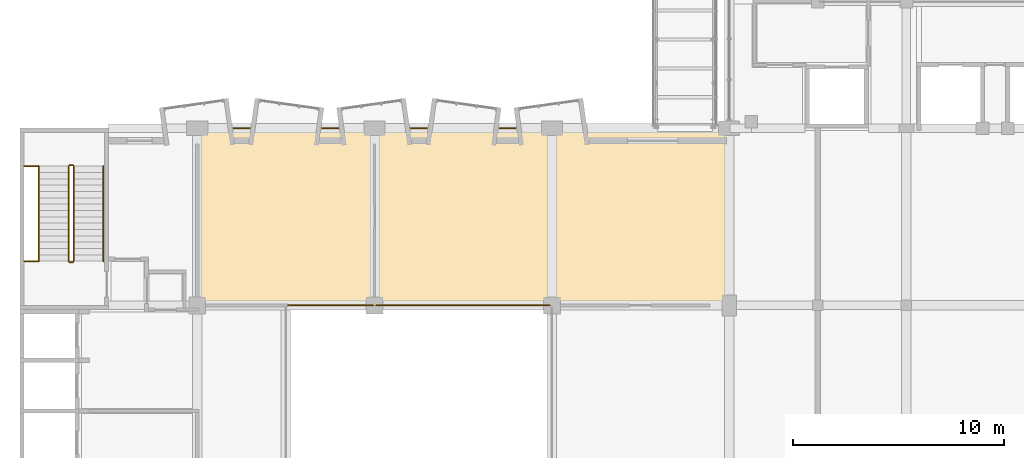
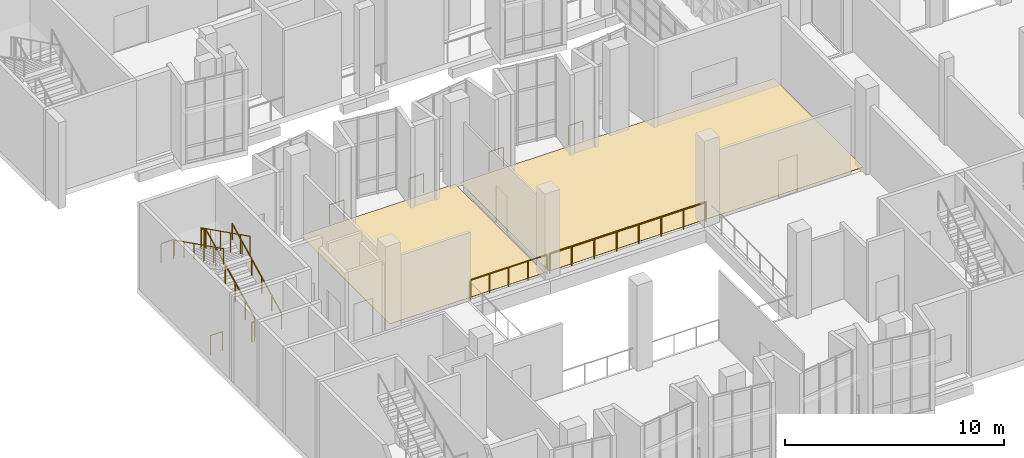
# One storey, part 68 of 86: 14 railings, 2 coverings.
"""IFC4 building model written with IfcOpenShell, lengths in metres."""

from ifc_helpers import new_model, si_unit, direction, frame, origin, origin_2d, place, context, subcontext, project, spatial, polyline, circle, outline, extrude, material, layer, layer_set, type_object, element, save


model = new_model("IFC4")

# Units and contexts
model_context = context("Model", 3, precision=1e-05, world=origin(), true_north=direction((0.0, 1.0)))
body_context = subcontext(model_context, "Body", "Model", "MODEL_VIEW")
ifc_project = project(units=[si_unit("LENGTHUNIT", "METRE"), si_unit("AREAUNIT", "SQUARE_METRE"), si_unit("VOLUMEUNIT", "CUBIC_METRE"), si_unit("PLANEANGLEUNIT", "RADIAN"), si_unit("MASSUNIT", "GRAM", prefix="KILO")], contexts=[model_context])

# Site, building, storey
site_placement = place(None, origin())
site = spatial("IfcSite", under=ifc_project, at=site_placement, CompositionType="ELEMENT")
building_placement = place(site_placement, origin())
building = spatial("IfcBuilding", under=site, at=building_placement, Name="Kiln Court Media Centre", CompositionType="ELEMENT")
storey_placement = place(building_placement, frame((0.0, 0.0, 10.199951171875)))
storey = spatial("IfcBuildingStorey", under=building, at=storey_placement, Name="L02", CompositionType="ELEMENT", Elevation=10.199951171875)

# Coverings
ifc_material_1 = material(Name="Carpet tile")
ifc_layer = layer(ifc_material_1, 0.014892578125)
ifc_layer_set = layer_set([ifc_layer], Name="Carpet tile floor finish 15")
covering_type = type_object("IfcCoveringType", Name="Carpet tile floor finish 15", PredefinedType="FLOORING", material=ifc_layer_set)
covering_1_placement = place(storey_placement, origin())
element("IfcCovering", 1, at=covering_1_placement, inside=storey, type_object=covering_type, Name="Group Study Rooms floor finish", PredefinedType="FLOORING", context=body_context, shape_type="SweptSolid", body=[
    extrude(outline(polyline([(8.52001953125, 16.919921875), (16.679931640625, 16.919921875), (16.679931640625, 25.080078125), (8.52001953125, 25.080078125), (8.52001953125, 16.919921875)])), origin(), (0.0, 0.0, 1.0), 0.01513671875),
])
covering_2_placement = place(storey_placement, origin())
element("IfcCovering", 2, at=covering_2_placement, inside=storey, type_object=covering_type, Name="Humanities Reading Room floor finish", PredefinedType="FLOORING", context=body_context, shape_type="SweptSolid", body=[
    extrude(outline(polyline([(16.919921875, 16.919921875), (33.47998046875, 16.919921875), (33.47998046875, 25.080078125), (16.919921875, 25.080078125), (16.919921875, 16.919921875)])), origin(), (0.0, 0.0, 1.0), 0.01513671875),
])

# Railings
ifc_material_2 = material(Name="Steel S275", Category="steel")
railing_type_1 = type_object("IfcRailingType", Name="Steel S275 balustrade guard 1100", PredefinedType="GUARDRAIL", material=ifc_material_2)
railing_1_placement = place(storey_placement, frame((16.72998046875, 16.800048828125, 0.0)))
element("IfcRailing", 3, at=railing_1_placement, inside=storey, type_object=railing_type_1, Name="L02 void edge guard", PredefinedType="GUARDRAIL", context=body_context, shape_type="SweptSolid", body=[
    extrude(circle(Radius=0.02392578125, at=origin_2d()), frame((0.0, 0.0, 1.076171875), z_axis=(-1.0, 0.0, 0.0), x_axis=(0.0, -1.0, 0.0)), (0.0, 0.0, 1.0), 4.034912109375),
    extrude(circle(Radius=0.02099609375, at=origin_2d()), origin(), (0.0, 0.0, 1.0), 1.052001953125),
    extrude(circle(Radius=0.02099609375, at=origin_2d()), frame((-1.0087890625, 0.0, 0.0)), (0.0, 0.0, 1.0), 1.052001953125),
    extrude(circle(Radius=0.02099609375, at=origin_2d()), frame((-2.017578125, 0.0, 0.0)), (0.0, 0.0, 1.0), 1.052001953125),
    extrude(circle(Radius=0.02099609375, at=origin_2d()), frame((-3.026123046875, 0.0, 0.0)), (0.0, 0.0, 1.0), 1.052001953125),
    extrude(circle(Radius=0.02099609375, at=origin_2d()), frame((-4.034912109375, 0.0, 0.0)), (0.0, 0.0, 1.0), 1.052001953125),
])
railing_2_placement = place(storey_placement, frame((25.10498046875, 16.800048828125, 0.0)))
element("IfcRailing", 4, at=railing_2_placement, inside=storey, type_object=railing_type_1, Name="L02 void edge guard", PredefinedType="GUARDRAIL", context=body_context, shape_type="SweptSolid", body=[
    extrude(circle(Radius=0.02392578125, at=origin_2d()), frame((0.0, 0.0, 1.076171875), z_axis=(-1.0, 0.0, 0.0), x_axis=(0.0, -1.0, 0.0)), (0.0, 0.0, 1.0), 8.23486328125),
    extrude(circle(Radius=0.02099609375, at=origin_2d()), origin(), (0.0, 0.0, 1.0), 1.052001953125),
    extrude(circle(Radius=0.02099609375, at=origin_2d()), frame((-1.176513671875, 0.0, 0.0)), (0.0, 0.0, 1.0), 1.052001953125),
    extrude(circle(Radius=0.02099609375, at=origin_2d()), frame((-2.352783203125, 0.0, 0.0)), (0.0, 0.0, 1.0), 1.052001953125),
    extrude(circle(Radius=0.02099609375, at=origin_2d()), frame((-3.529296875, 0.0, 0.0)), (0.0, 0.0, 1.0), 1.052001953125),
    extrude(circle(Radius=0.02099609375, at=origin_2d()), frame((-4.70556640625, 0.0, 0.0)), (0.0, 0.0, 1.0), 1.052001953125),
    extrude(circle(Radius=0.02099609375, at=origin_2d()), frame((-5.882080078125, 0.0, 0.0)), (0.0, 0.0, 1.0), 1.052001953125),
    extrude(circle(Radius=0.02099609375, at=origin_2d()), frame((-7.058349609375, 0.0, 0.0)), (0.0, 0.0, 1.0), 1.052001953125),
    extrude(circle(Radius=0.02099609375, at=origin_2d()), frame((-8.23486328125, 0.0, 0.0)), (0.0, 0.0, 1.0), 1.052001953125),
])
for number, where, name in (
    (5, (10.11767578125, 25.199951171875, 0.0), "L02 slab notch guard"),
    (6, (14.317626953125, 25.199951171875, 0.0), "L02 slab notch guard"),
    (7, (18.517578125, 25.199951171875, 0.0), "L02 slab notch guard"),
    (8, (22.7177734375, 25.199951171875, 0.0), "L02 slab notch guard"),
):
    element("IfcRailing", number, at=place(storey_placement, frame(where)), inside=storey, type_object=railing_type_1, Name=name, PredefinedType="GUARDRAIL", context=body_context, shape_type="SweptSolid", body=[
        extrude(circle(Radius=0.02392578125, at=origin_2d()), frame((0.0, 0.0, 1.076171875), z_axis=(1.0, 0.0, 0.0), x_axis=(0.0, 1.0, 0.0)), (0.0, 0.0, 1.0), 0.7646484375),
        extrude(circle(Radius=0.02099609375, at=origin_2d()), origin(), (0.0, 0.0, 1.0), 1.052001953125),
        extrude(circle(Radius=0.02099609375, at=origin_2d()), frame((0.7646484375, 0.0, 0.0)), (0.0, 0.0, 1.0), 1.052001953125),
    ])
ifc_material_3 = material(Name="Steel S275", Category="steel")
railing_type_2 = type_object("IfcRailingType", Name="Steel S275 stair guard 1100", PredefinedType="GUARDRAIL", material=ifc_material_3)
railing_3_placement = place(storey_placement, frame((2.550048828125, 18.89990234375, 0.150146484375)))
element("IfcRailing", 9, at=railing_3_placement, inside=storey, type_object=railing_type_2, Name="ST-02 stair guard", PredefinedType="GUARDRAIL", context=body_context, shape_type="SweptSolid", body=[
    extrude(circle(Radius=0.02392578125, at=origin_2d()), frame((0.0, 0.0, 1.076171875), z_axis=(0.0, 0.894427191, 0.4472135955), x_axis=(-1.0, 0.0, 0.0)), (0.0, 0.0, 1.0), 5.03125),
    extrude(circle(Radius=0.02099609375, at=origin_2d()), origin(), (0.0, 0.0, 1.0), 1.052001953125),
    extrude(circle(Radius=0.02099609375, at=origin_2d()), frame((0.0, 0.89990234375, 0.449951171875)), (0.0, 0.0, 1.0), 1.052001953125),
    extrude(circle(Radius=0.02099609375, at=origin_2d()), frame((0.0, 1.800048828125, 0.89990234375)), (0.0, 0.0, 1.0), 1.052001953125),
    extrude(circle(Radius=0.02099609375, at=origin_2d()), frame((0.0, 2.699951171875, 1.35009765625)), (0.0, 0.0, 1.0), 1.052001953125),
    extrude(circle(Radius=0.02099609375, at=origin_2d()), frame((0.0, 3.60009765625, 1.800048828125)), (0.0, 0.0, 1.0), 1.052001953125),
    extrude(circle(Radius=0.02099609375, at=origin_2d()), frame((0.0, 4.5, 2.25)), (0.0, 0.0, 1.0), 1.052001953125),
])
railing_4_placement = place(storey_placement, frame((2.5, 23.449951171875, 2.400146484375)))
element("IfcRailing", 10, at=railing_4_placement, inside=storey, type_object=railing_type_2, Name="ST-02 stair guard", PredefinedType="GUARDRAIL", context=body_context, shape_type="SweptSolid", body=[
    extrude(circle(Radius=0.02392578125, at=origin_2d()), frame((0.0, 0.0, 1.076171875), z_axis=(-1.0, 0.0, 0.0), x_axis=(0.0, -1.0, 0.0)), (0.0, 0.0, 1.0), 0.14990234375),
    extrude(circle(Radius=0.02099609375, at=origin_2d()), origin(), (0.0, 0.0, 1.0), 1.052001953125),
    extrude(circle(Radius=0.02099609375, at=origin_2d()), frame((-0.14990234375, 0.0, 0.0)), (0.0, 0.0, 1.0), 1.052001953125),
])
railing_5_placement = place(storey_placement, frame((2.300048828125, 23.39990234375, 2.550048828125)))
element("IfcRailing", 11, at=railing_5_placement, inside=storey, type_object=railing_type_2, Name="ST-02 stair guard", PredefinedType="GUARDRAIL", context=body_context, shape_type="SweptSolid", body=[
    extrude(circle(Radius=0.02392578125, at=origin_2d()), frame((0.0, 0.0, 1.076171875), z_axis=(0.0, -0.894427191, 0.4472135955), x_axis=(1.0, 0.0, 0.0)), (0.0, 0.0, 1.0), 5.03125),
    extrude(circle(Radius=0.02099609375, at=origin_2d()), origin(), (0.0, 0.0, 1.0), 1.052001953125),
    extrude(circle(Radius=0.02099609375, at=origin_2d()), frame((0.0, -0.89990234375, 0.449951171875)), (0.0, 0.0, 1.0), 1.052001953125),
    extrude(circle(Radius=0.02099609375, at=origin_2d()), frame((0.0, -1.800048828125, 0.89990234375)), (0.0, 0.0, 1.0), 1.052001953125),
    extrude(circle(Radius=0.02099609375, at=origin_2d()), frame((0.0, -2.699951171875, 1.35009765625)), (0.0, 0.0, 1.0), 1.052001953125),
    extrude(circle(Radius=0.02099609375, at=origin_2d()), frame((0.0, -3.60009765625, 1.800048828125)), (0.0, 0.0, 1.0), 1.052001953125),
    extrude(circle(Radius=0.02099609375, at=origin_2d()), frame((0.0, -4.5, 2.25)), (0.0, 0.0, 1.0), 1.052001953125),
])
railing_6_placement = place(storey_placement, frame((2.5, 18.85009765625, 0.0)))
element("IfcRailing", 12, at=railing_6_placement, inside=storey, type_object=railing_type_2, Name="ST-02 stair guard", PredefinedType="GUARDRAIL", context=body_context, shape_type="SweptSolid", body=[
    extrude(circle(Radius=0.02392578125, at=origin_2d()), frame((0.0, 0.0, 1.076171875), z_axis=(-1.0, 0.0, 0.0), x_axis=(0.0, -1.0, 0.0)), (0.0, 0.0, 1.0), 0.14990234375),
    extrude(circle(Radius=0.02099609375, at=origin_2d()), origin(), (0.0, 0.0, 1.0), 1.052001953125),
    extrude(circle(Radius=0.02099609375, at=origin_2d()), frame((-0.14990234375, 0.0, 0.0)), (0.0, 0.0, 1.0), 1.052001953125),
])
for number, where, name in (
    (13, (0.85009765625, 23.39990234375, 2.400146484375), "ST-02 landing edge guard"),
    (14, (0.85009765625, 18.89990234375, 0.0), "ST-02 landing edge guard"),
):
    element("IfcRailing", number, at=place(storey_placement, frame(where)), inside=storey, type_object=railing_type_2, Name=name, PredefinedType="GUARDRAIL", context=body_context, shape_type="SweptSolid", body=[
        extrude(circle(Radius=0.02392578125, at=origin_2d()), frame((0.0, 0.0, 1.076171875), z_axis=(-1.0, 0.0, 0.0), x_axis=(0.0, -1.0, 0.0)), (0.0, 0.0, 1.0), 0.650146484375),
        extrude(circle(Radius=0.02099609375, at=origin_2d()), origin(), (0.0, 0.0, 1.0), 1.052001953125),
        extrude(circle(Radius=0.02099609375, at=origin_2d()), frame((-0.650146484375, 0.0, 0.0)), (0.0, 0.0, 1.0), 1.052001953125),
    ])
ifc_material_4 = material(Name="Steel S275", Category="steel")
railing_type_3 = type_object("IfcRailingType", Name="Steel S275 stair handrail 900", PredefinedType="HANDRAIL", material=ifc_material_4)
railing_7_placement = place(storey_placement, frame((3.949951171875, 18.89990234375, 0.150146484375)))
element("IfcRailing", 15, at=railing_7_placement, inside=storey, type_object=railing_type_3, Name="ST-02 stair handrail", PredefinedType="HANDRAIL", context=body_context, shape_type="SweptSolid", body=[
    extrude(circle(Radius=0.02392578125, at=origin_2d()), frame((0.0, 0.0, 0.8759765625), z_axis=(0.0, 0.894427191, 0.4472135955), x_axis=(-1.0, 0.0, 0.0)), (0.0, 0.0, 1.0), 5.03125),
    extrude(circle(Radius=0.02099609375, at=origin_2d()), origin(), (0.0, 0.0, 1.0), 0.851806640625),
    extrude(circle(Radius=0.02099609375, at=origin_2d()), frame((0.0, 0.89990234375, 0.449951171875)), (0.0, 0.0, 1.0), 0.851806640625),
    extrude(circle(Radius=0.02099609375, at=origin_2d()), frame((0.0, 1.800048828125, 0.89990234375)), (0.0, 0.0, 1.0), 0.851806640625),
    extrude(circle(Radius=0.02099609375, at=origin_2d()), frame((0.0, 2.699951171875, 1.35009765625)), (0.0, 0.0, 1.0), 0.851806640625),
    extrude(circle(Radius=0.02099609375, at=origin_2d()), frame((0.0, 3.60009765625, 1.800048828125)), (0.0, 0.0, 1.0), 0.851806640625),
    extrude(circle(Radius=0.02099609375, at=origin_2d()), frame((0.0, 4.5, 2.25)), (0.0, 0.0, 1.0), 0.851806640625),
])
railing_8_placement = place(storey_placement, frame((0.89990234375, 23.39990234375, 2.550048828125)))
element("IfcRailing", 16, at=railing_8_placement, inside=storey, type_object=railing_type_3, Name="ST-02 stair handrail", PredefinedType="HANDRAIL", context=body_context, shape_type="SweptSolid", body=[
    extrude(circle(Radius=0.02392578125, at=origin_2d()), frame((0.0, 0.0, 0.8759765625), z_axis=(0.0, -0.894427191, 0.4472135955), x_axis=(1.0, 0.0, 0.0)), (0.0, 0.0, 1.0), 5.03125),
    extrude(circle(Radius=0.02099609375, at=origin_2d()), origin(), (0.0, 0.0, 1.0), 0.851806640625),
    extrude(circle(Radius=0.02099609375, at=origin_2d()), frame((0.0, -0.89990234375, 0.449951171875)), (0.0, 0.0, 1.0), 0.851806640625),
    extrude(circle(Radius=0.02099609375, at=origin_2d()), frame((0.0, -1.800048828125, 0.89990234375)), (0.0, 0.0, 1.0), 0.851806640625),
    extrude(circle(Radius=0.02099609375, at=origin_2d()), frame((0.0, -2.699951171875, 1.35009765625)), (0.0, 0.0, 1.0), 0.851806640625),
    extrude(circle(Radius=0.02099609375, at=origin_2d()), frame((0.0, -3.60009765625, 1.800048828125)), (0.0, 0.0, 1.0), 0.851806640625),
    extrude(circle(Radius=0.02099609375, at=origin_2d()), frame((0.0, -4.5, 2.25)), (0.0, 0.0, 1.0), 0.851806640625),
])

save(model, "model.ifc")
